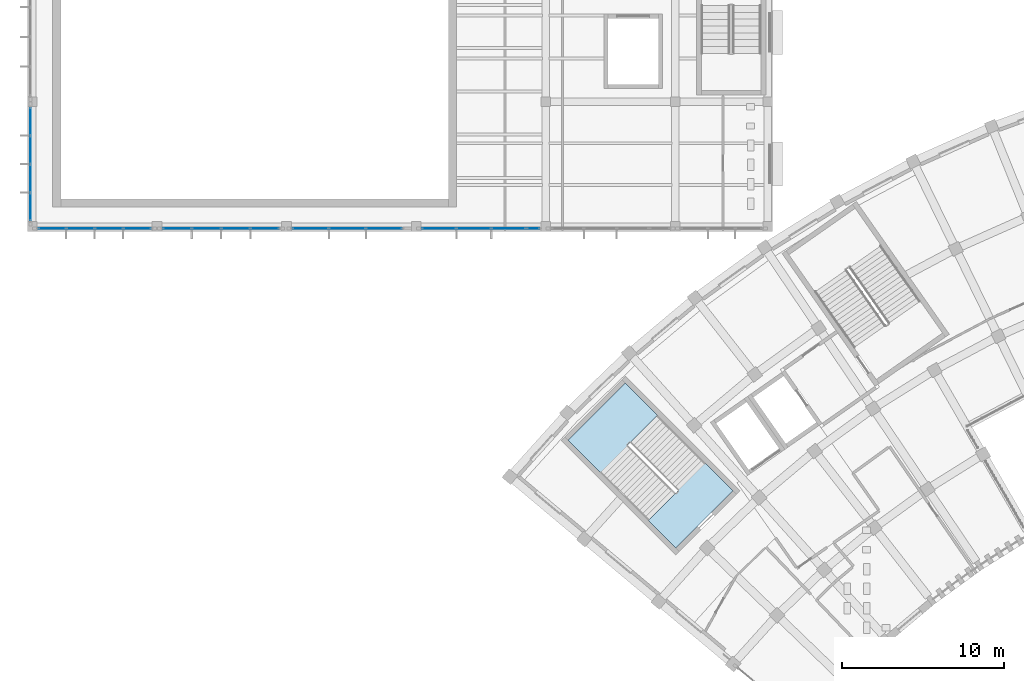
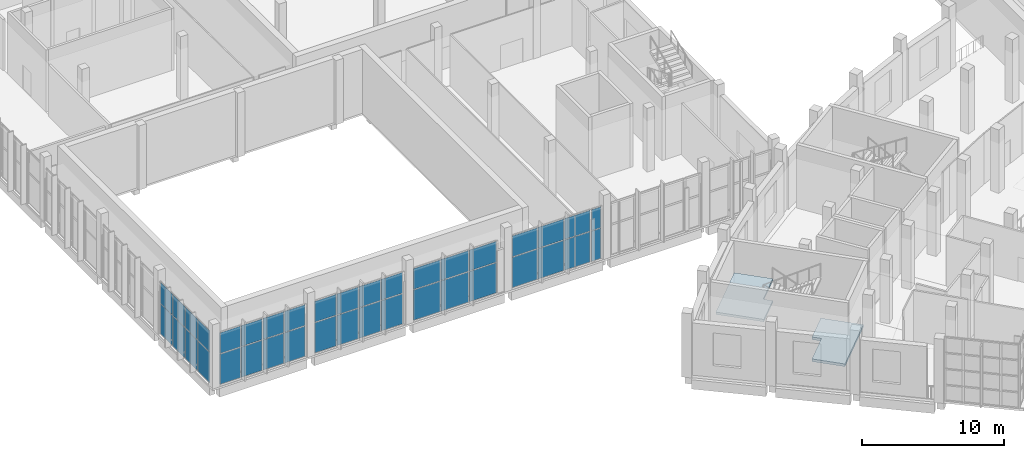
# One storey, part 39 of 112: 38 plates, 2 slabs, 7 elements without a shape of their own.
"""IFC4 building model written with IfcOpenShell, lengths in metres."""

from ifc_helpers import new_model, si_unit, direction, frame, origin, origin_2d, place, context, subcontext, project, spatial, polyline, rectangle, outline, extrude, material, layer, layer_set, type_object, element, aggregate, save


model = new_model("IFC4")

# Units and contexts
model_context = context("Model", 3, precision=1e-05, world=origin(), true_north=direction((0.0, 1.0)))
body_context = subcontext(model_context, "Body", "Model", "MODEL_VIEW")
ifc_project = project(units=[si_unit("LENGTHUNIT", "METRE"), si_unit("AREAUNIT", "SQUARE_METRE"), si_unit("VOLUMEUNIT", "CUBIC_METRE"), si_unit("PLANEANGLEUNIT", "RADIAN"), si_unit("MASSUNIT", "GRAM", prefix="KILO")], contexts=[model_context])

# Site, building, storey
site_placement = place(None, origin())
site = spatial("IfcSite", under=ifc_project, at=site_placement, CompositionType="ELEMENT")
building_placement = place(site_placement, origin())
building = spatial("IfcBuilding", under=site, at=building_placement, Name="Lunette Opera House", CompositionType="ELEMENT")
storey_placement = place(building_placement, frame((0.0, 0.0, 6.0)))
storey = spatial("IfcBuildingStorey", under=building, at=storey_placement, Name="L01", CompositionType="ELEMENT", Elevation=6.0)

# Slab
ifc_material_1 = material(Name="Concrete C35/45", Category="concrete")
ifc_layer_1 = layer(ifc_material_1, 0.219970703125)
ifc_layer_set_1 = layer_set([ifc_layer_1], Name="Concrete C35/45")
slab_type_1 = type_object("IfcSlabType", Name="CORE LANDING SLAB 220", PredefinedType="LANDING", material=ifc_layer_set_1)
slab_1_placement = place(storey_placement, frame((0.0, 0.0, -0.219970703125)))
element("IfcSlab", 1, at=slab_1_placement, inside=storey, type_object=slab_type_1, Name="ST1 floor landing", PredefinedType="LANDING", context=body_context, shape_type="SweptSolid", body=[
    extrude(outline(polyline([(46.319091796875, 46.14501953125), (48.01611328125, 47.842041015625), (48.02294921875, 47.8349609375), (48.1650390625, 47.97705078125), (47.669921875, 48.471923828125), (49.366943359375, 50.1689453125), (51.55908203125, 47.97705078125), (48.02294921875, 44.44091796875), (46.319091796875, 46.14501953125)])), origin(), (0.0, 0.0, 1.0), 0.219970703125),
])

# Curtain wall, plates
ifc_material_2 = material(Name="Aluminium", Category="aluminium")
ifc_layer_2 = layer(ifc_material_2, 0.179931640625)
ifc_layer_set_2 = layer_set([ifc_layer_2], Name="Aluminium")
curtain_wall_type = type_object("IfcCurtainWallType", Name="SUN FACE CURTAIN WALL", PredefinedType="NOTDEFINED", material=ifc_layer_set_2)
curtain_wall_1_placement = place(storey_placement, origin())
curtain_wall_1 = element("IfcCurtainWall", 2, at=curtain_wall_1_placement, inside=storey, type_object=curtain_wall_type, Name="Sun Face Curtain Wall F18 L01", PredefinedType="NOTDEFINED")
ifc_material_3 = material(Name="Laminated glass", Category="glass")
ifc_layer_3 = layer(ifc_material_3, 0.028076171875)
ifc_layer_set_3 = layer_set([ifc_layer_3], Name="Laminated glass")
plate_type = type_object("IfcPlateType", Name="CURTAIN PANEL LAMINATED GLASS 28", PredefinedType="CURTAIN_PANEL", material=ifc_layer_set_3)
plate_1_placement = place(storey_placement, frame((8.181884765625, 70.77490234375, 0.06005859375), z_axis=(0.0, 0.0, 1.0), x_axis=(0.0, -1.0, 0.0)))
plate_1 = element("IfcPlate", 3, at=plate_1_placement, type_object=plate_type, Name="RW-X2020 panel 1.1", PredefinedType="CURTAIN_PANEL", context=body_context, shape_type="SweptSolid", body=[
    extrude(rectangle(XDim=1.669921875, YDim=0.028076171875, at=origin_2d()), origin(), (0.0, 0.0, 1.0), 2.5849609375),
])
plate_2_placement = place(storey_placement, frame((8.181884765625, 70.77490234375, 2.705078125), z_axis=(0.0, 0.0, 1.0), x_axis=(0.0, -1.0, 0.0)))
plate_2 = element("IfcPlate", 4, at=plate_2_placement, type_object=plate_type, Name="RW-X2020 panel 1.2", PredefinedType="CURTAIN_PANEL", context=body_context, shape_type="SweptSolid", body=[
    extrude(rectangle(XDim=1.669921875, YDim=0.028076171875, at=origin_2d()), origin(), (0.0, 0.0, 1.0), 1.784912109375),
])
plate_3_placement = place(storey_placement, frame((8.181884765625, 69.030029296875, 0.06005859375), z_axis=(0.0, 0.0, 1.0), x_axis=(0.0, -1.0, 0.0)))
plate_3 = element("IfcPlate", 5, at=plate_3_placement, type_object=plate_type, Name="RW-X2020 panel 2.1", PredefinedType="CURTAIN_PANEL", context=body_context, shape_type="SweptSolid", body=[
    extrude(rectangle(XDim=1.699951171875, YDim=0.028076171875, at=origin_2d()), origin(), (0.0, 0.0, 1.0), 2.5849609375),
])
plate_4_placement = place(storey_placement, frame((8.181884765625, 69.030029296875, 2.705078125), z_axis=(0.0, 0.0, 1.0), x_axis=(0.0, -1.0, 0.0)))
plate_4 = element("IfcPlate", 6, at=plate_4_placement, type_object=plate_type, Name="RW-X2020 panel 2.2", PredefinedType="CURTAIN_PANEL", context=body_context, shape_type="SweptSolid", body=[
    extrude(rectangle(XDim=1.699951171875, YDim=0.028076171875, at=origin_2d()), origin(), (0.0, 0.0, 1.0), 1.784912109375),
])
plate_5_placement = place(storey_placement, frame((8.181884765625, 67.27001953125, 0.06005859375), z_axis=(0.0, 0.0, 1.0), x_axis=(0.0, -1.0, 0.0)))
plate_5 = element("IfcPlate", 7, at=plate_5_placement, type_object=plate_type, Name="RW-X2020 panel 3.1", PredefinedType="CURTAIN_PANEL", context=body_context, shape_type="SweptSolid", body=[
    extrude(rectangle(XDim=1.699951171875, YDim=0.028076171875, at=origin_2d()), origin(), (0.0, 0.0, 1.0), 2.5849609375),
])
plate_6_placement = place(storey_placement, frame((8.181884765625, 67.27001953125, 2.705078125), z_axis=(0.0, 0.0, 1.0), x_axis=(0.0, -1.0, 0.0)))
plate_6 = element("IfcPlate", 8, at=plate_6_placement, type_object=plate_type, Name="RW-X2020 panel 3.2", PredefinedType="CURTAIN_PANEL", context=body_context, shape_type="SweptSolid", body=[
    extrude(rectangle(XDim=1.699951171875, YDim=0.028076171875, at=origin_2d()), origin(), (0.0, 0.0, 1.0), 1.784912109375),
])
plate_7_placement = place(storey_placement, frame((8.181884765625, 65.52490234375, 0.06005859375), z_axis=(0.0, 0.0, 1.0), x_axis=(0.0, -1.0, 0.0)))
plate_7 = element("IfcPlate", 9, at=plate_7_placement, type_object=plate_type, Name="RW-X2020 panel 4.1", PredefinedType="CURTAIN_PANEL", context=body_context, shape_type="SweptSolid", body=[
    extrude(rectangle(XDim=1.669921875, YDim=0.028076171875, at=origin_2d()), origin(), (0.0, 0.0, 1.0), 2.5849609375),
])
plate_8_placement = place(storey_placement, frame((8.181884765625, 65.52490234375, 2.705078125), z_axis=(0.0, 0.0, 1.0), x_axis=(0.0, -1.0, 0.0)))
plate_8 = element("IfcPlate", 10, at=plate_8_placement, type_object=plate_type, Name="RW-X2020 panel 4.2", PredefinedType="CURTAIN_PANEL", context=body_context, shape_type="SweptSolid", body=[
    extrude(rectangle(XDim=1.669921875, YDim=0.028076171875, at=origin_2d()), origin(), (0.0, 0.0, 1.0), 1.784912109375),
])
aggregate(curtain_wall_1, [plate_1, plate_2, plate_3, plate_4, plate_5, plate_6, plate_7, plate_8])

curtain_wall_2_placement = place(storey_placement, origin())
curtain_wall_2 = element("IfcCurtainWall", 11, at=curtain_wall_2_placement, inside=storey, type_object=curtain_wall_type, Name="Sun Face Curtain Wall F19 L01", PredefinedType="NOTDEFINED")
plate_9_placement = place(storey_placement, frame((9.52490234375, 64.18310546875, 0.06005859375), z_axis=(0.0, 0.0, 1.0), x_axis=(1.0, 0.0, 0.0)))
plate_9 = element("IfcPlate", 12, at=plate_9_placement, type_object=plate_type, Name="RW-X2021 panel 1.1", PredefinedType="CURTAIN_PANEL", context=body_context, shape_type="SweptSolid", body=[
    extrude(rectangle(XDim=1.669921875, YDim=0.028076171875, at=origin_2d()), origin(), (0.0, 0.0, 1.0), 2.5849609375),
])
plate_10_placement = place(storey_placement, frame((9.52490234375, 64.18310546875, 2.705078125), z_axis=(0.0, 0.0, 1.0), x_axis=(1.0, 0.0, 0.0)))
plate_10 = element("IfcPlate", 13, at=plate_10_placement, type_object=plate_type, Name="RW-X2021 panel 1.2", PredefinedType="CURTAIN_PANEL", context=body_context, shape_type="SweptSolid", body=[
    extrude(rectangle(XDim=1.669921875, YDim=0.028076171875, at=origin_2d()), origin(), (0.0, 0.0, 1.0), 1.784912109375),
])
plate_11_placement = place(storey_placement, frame((11.27001953125, 64.18310546875, 0.06005859375), z_axis=(0.0, 0.0, 1.0), x_axis=(1.0, 0.0, 0.0)))
plate_11 = element("IfcPlate", 14, at=plate_11_placement, type_object=plate_type, Name="RW-X2021 panel 2.1", PredefinedType="CURTAIN_PANEL", context=body_context, shape_type="SweptSolid", body=[
    extrude(rectangle(XDim=1.699951171875, YDim=0.028076171875, at=origin_2d()), origin(), (0.0, 0.0, 1.0), 2.5849609375),
])
plate_12_placement = place(storey_placement, frame((11.27001953125, 64.18310546875, 2.705078125), z_axis=(0.0, 0.0, 1.0), x_axis=(1.0, 0.0, 0.0)))
plate_12 = element("IfcPlate", 15, at=plate_12_placement, type_object=plate_type, Name="RW-X2021 panel 2.2", PredefinedType="CURTAIN_PANEL", context=body_context, shape_type="SweptSolid", body=[
    extrude(rectangle(XDim=1.699951171875, YDim=0.028076171875, at=origin_2d()), origin(), (0.0, 0.0, 1.0), 1.784912109375),
])
plate_13_placement = place(storey_placement, frame((13.030029296875, 64.18310546875, 0.06005859375), z_axis=(0.0, 0.0, 1.0), x_axis=(1.0, 0.0, 0.0)))
plate_13 = element("IfcPlate", 16, at=plate_13_placement, type_object=plate_type, Name="RW-X2021 panel 3.1", PredefinedType="CURTAIN_PANEL", context=body_context, shape_type="SweptSolid", body=[
    extrude(rectangle(XDim=1.699951171875, YDim=0.028076171875, at=origin_2d()), origin(), (0.0, 0.0, 1.0), 2.5849609375),
])
plate_14_placement = place(storey_placement, frame((13.030029296875, 64.18310546875, 2.705078125), z_axis=(0.0, 0.0, 1.0), x_axis=(1.0, 0.0, 0.0)))
plate_14 = element("IfcPlate", 17, at=plate_14_placement, type_object=plate_type, Name="RW-X2021 panel 3.2", PredefinedType="CURTAIN_PANEL", context=body_context, shape_type="SweptSolid", body=[
    extrude(rectangle(XDim=1.699951171875, YDim=0.028076171875, at=origin_2d()), origin(), (0.0, 0.0, 1.0), 1.784912109375),
])
plate_15_placement = place(storey_placement, frame((14.77490234375, 64.18310546875, 0.06005859375), z_axis=(0.0, 0.0, 1.0), x_axis=(1.0, 0.0, 0.0)))
plate_15 = element("IfcPlate", 18, at=plate_15_placement, type_object=plate_type, Name="RW-X2021 panel 4.1", PredefinedType="CURTAIN_PANEL", context=body_context, shape_type="SweptSolid", body=[
    extrude(rectangle(XDim=1.669921875, YDim=0.028076171875, at=origin_2d()), origin(), (0.0, 0.0, 1.0), 2.5849609375),
])
plate_16_placement = place(storey_placement, frame((14.77490234375, 64.18310546875, 2.705078125), z_axis=(0.0, 0.0, 1.0), x_axis=(1.0, 0.0, 0.0)))
plate_16 = element("IfcPlate", 19, at=plate_16_placement, type_object=plate_type, Name="RW-X2021 panel 4.2", PredefinedType="CURTAIN_PANEL", context=body_context, shape_type="SweptSolid", body=[
    extrude(rectangle(XDim=1.669921875, YDim=0.028076171875, at=origin_2d()), origin(), (0.0, 0.0, 1.0), 1.784912109375),
])
aggregate(curtain_wall_2, [plate_9, plate_10, plate_11, plate_12, plate_13, plate_14, plate_15, plate_16])

curtain_wall_3_placement = place(storey_placement, origin())
curtain_wall_3 = element("IfcCurtainWall", 20, at=curtain_wall_3_placement, inside=storey, type_object=curtain_wall_type, Name="Sun Face Curtain Wall F20 L01", PredefinedType="NOTDEFINED")
plate_17_placement = place(storey_placement, frame((17.2509765625, 64.18310546875, 0.06005859375), z_axis=(0.0, 0.0, 1.0), x_axis=(1.0, 0.0, 0.0)))
plate_17 = element("IfcPlate", 21, at=plate_17_placement, type_object=plate_type, Name="RW-X2022 panel 1.1", PredefinedType="CURTAIN_PANEL", context=body_context, shape_type="SweptSolid", body=[
    extrude(rectangle(XDim=1.7216796875, YDim=0.028076171875, at=origin_2d()), origin(), (0.0, 0.0, 1.0), 2.5849609375),
])
plate_18_placement = place(storey_placement, frame((17.2509765625, 64.18310546875, 2.705078125), z_axis=(0.0, 0.0, 1.0), x_axis=(1.0, 0.0, 0.0)))
plate_18 = element("IfcPlate", 22, at=plate_18_placement, type_object=plate_type, Name="RW-X2022 panel 1.2", PredefinedType="CURTAIN_PANEL", context=body_context, shape_type="SweptSolid", body=[
    extrude(rectangle(XDim=1.7216796875, YDim=0.028076171875, at=origin_2d()), origin(), (0.0, 0.0, 1.0), 1.784912109375),
])
plate_19_placement = place(storey_placement, frame((19.047607421875, 64.18310546875, 0.06005859375), z_axis=(0.0, 0.0, 1.0), x_axis=(1.0, 0.0, 0.0)))
plate_19 = element("IfcPlate", 23, at=plate_19_placement, type_object=plate_type, Name="RW-X2022 panel 2.1", PredefinedType="CURTAIN_PANEL", context=body_context, shape_type="SweptSolid", body=[
    extrude(rectangle(XDim=1.751708984375, YDim=0.028076171875, at=origin_2d()), origin(), (0.0, 0.0, 1.0), 2.5849609375),
])
plate_20_placement = place(storey_placement, frame((19.047607421875, 64.18310546875, 2.705078125), z_axis=(0.0, 0.0, 1.0), x_axis=(1.0, 0.0, 0.0)))
plate_20 = element("IfcPlate", 24, at=plate_20_placement, type_object=plate_type, Name="RW-X2022 panel 2.2", PredefinedType="CURTAIN_PANEL", context=body_context, shape_type="SweptSolid", body=[
    extrude(rectangle(XDim=1.751708984375, YDim=0.028076171875, at=origin_2d()), origin(), (0.0, 0.0, 1.0), 1.784912109375),
])
plate_21_placement = place(storey_placement, frame((20.859375, 64.18310546875, 0.06005859375), z_axis=(0.0, 0.0, 1.0), x_axis=(1.0, 0.0, 0.0)))
plate_21 = element("IfcPlate", 25, at=plate_21_placement, type_object=plate_type, Name="RW-X2022 panel 3.1", PredefinedType="CURTAIN_PANEL", context=body_context, shape_type="SweptSolid", body=[
    extrude(rectangle(XDim=1.751708984375, YDim=0.028076171875, at=origin_2d()), origin(), (0.0, 0.0, 1.0), 2.5849609375),
])
plate_22_placement = place(storey_placement, frame((20.859375, 64.18310546875, 2.705078125), z_axis=(0.0, 0.0, 1.0), x_axis=(1.0, 0.0, 0.0)))
plate_22 = element("IfcPlate", 26, at=plate_22_placement, type_object=plate_type, Name="RW-X2022 panel 3.2", PredefinedType="CURTAIN_PANEL", context=body_context, shape_type="SweptSolid", body=[
    extrude(rectangle(XDim=1.751708984375, YDim=0.028076171875, at=origin_2d()), origin(), (0.0, 0.0, 1.0), 1.784912109375),
])
plate_23_placement = place(storey_placement, frame((22.656005859375, 64.18310546875, 0.06005859375), z_axis=(0.0, 0.0, 1.0), x_axis=(1.0, 0.0, 0.0)))
plate_23 = element("IfcPlate", 27, at=plate_23_placement, type_object=plate_type, Name="RW-X2022 panel 4.1", PredefinedType="CURTAIN_PANEL", context=body_context, shape_type="SweptSolid", body=[
    extrude(rectangle(XDim=1.7216796875, YDim=0.028076171875, at=origin_2d()), origin(), (0.0, 0.0, 1.0), 2.5849609375),
])
plate_24_placement = place(storey_placement, frame((22.656005859375, 64.18310546875, 2.705078125), z_axis=(0.0, 0.0, 1.0), x_axis=(1.0, 0.0, 0.0)))
plate_24 = element("IfcPlate", 28, at=plate_24_placement, type_object=plate_type, Name="RW-X2022 panel 4.2", PredefinedType="CURTAIN_PANEL", context=body_context, shape_type="SweptSolid", body=[
    extrude(rectangle(XDim=1.7216796875, YDim=0.028076171875, at=origin_2d()), origin(), (0.0, 0.0, 1.0), 1.784912109375),
])
aggregate(curtain_wall_3, [plate_17, plate_18, plate_19, plate_20, plate_21, plate_22, plate_23, plate_24])

curtain_wall_4_placement = place(storey_placement, origin())
curtain_wall_4 = element("IfcCurtainWall", 29, at=curtain_wall_4_placement, inside=storey, type_object=curtain_wall_type, Name="Sun Face Curtain Wall F21 L01", PredefinedType="NOTDEFINED")
plate_25_placement = place(storey_placement, frame((25.487060546875, 64.18310546875, 0.06005859375), z_axis=(0.0, 0.0, 1.0), x_axis=(1.0, 0.0, 0.0)))
plate_25 = element("IfcPlate", 30, at=plate_25_placement, type_object=plate_type, Name="RW-X2023 panel 1.1", PredefinedType="CURTAIN_PANEL", context=body_context, shape_type="SweptSolid", body=[
    extrude(rectangle(XDim=2.1943359375, YDim=0.028076171875, at=origin_2d()), origin(), (0.0, 0.0, 1.0), 2.5849609375),
])
plate_26_placement = place(storey_placement, frame((25.487060546875, 64.18310546875, 2.705078125), z_axis=(0.0, 0.0, 1.0), x_axis=(1.0, 0.0, 0.0)))
plate_26 = element("IfcPlate", 31, at=plate_26_placement, type_object=plate_type, Name="RW-X2023 panel 1.2", PredefinedType="CURTAIN_PANEL", context=body_context, shape_type="SweptSolid", body=[
    extrude(rectangle(XDim=2.1943359375, YDim=0.028076171875, at=origin_2d()), origin(), (0.0, 0.0, 1.0), 1.784912109375),
])
plate_27_placement = place(storey_placement, frame((27.756591796875, 64.18310546875, 0.06005859375), z_axis=(0.0, 0.0, 1.0), x_axis=(1.0, 0.0, 0.0)))
plate_27 = element("IfcPlate", 32, at=plate_27_placement, type_object=plate_type, Name="RW-X2023 panel 2.1", PredefinedType="CURTAIN_PANEL", context=body_context, shape_type="SweptSolid", body=[
    extrude(rectangle(XDim=2.224365234375, YDim=0.028076171875, at=origin_2d()), origin(), (0.0, 0.0, 1.0), 2.5849609375),
])
plate_28_placement = place(storey_placement, frame((27.756591796875, 64.18310546875, 2.705078125), z_axis=(0.0, 0.0, 1.0), x_axis=(1.0, 0.0, 0.0)))
plate_28 = element("IfcPlate", 33, at=plate_28_placement, type_object=plate_type, Name="RW-X2023 panel 2.2", PredefinedType="CURTAIN_PANEL", context=body_context, shape_type="SweptSolid", body=[
    extrude(rectangle(XDim=2.224365234375, YDim=0.028076171875, at=origin_2d()), origin(), (0.0, 0.0, 1.0), 1.784912109375),
])
plate_29_placement = place(storey_placement, frame((30.02587890625, 64.18310546875, 0.06005859375), z_axis=(0.0, 0.0, 1.0), x_axis=(1.0, 0.0, 0.0)))
plate_29 = element("IfcPlate", 34, at=plate_29_placement, type_object=plate_type, Name="RW-X2023 panel 3.1", PredefinedType="CURTAIN_PANEL", context=body_context, shape_type="SweptSolid", body=[
    extrude(rectangle(XDim=2.1943359375, YDim=0.028076171875, at=origin_2d()), origin(), (0.0, 0.0, 1.0), 2.5849609375),
])
plate_30_placement = place(storey_placement, frame((30.02587890625, 64.18310546875, 2.705078125), z_axis=(0.0, 0.0, 1.0), x_axis=(1.0, 0.0, 0.0)))
plate_30 = element("IfcPlate", 35, at=plate_30_placement, type_object=plate_type, Name="RW-X2023 panel 3.2", PredefinedType="CURTAIN_PANEL", context=body_context, shape_type="SweptSolid", body=[
    extrude(rectangle(XDim=2.1943359375, YDim=0.028076171875, at=origin_2d()), origin(), (0.0, 0.0, 1.0), 1.784912109375),
])
aggregate(curtain_wall_4, [plate_25, plate_26, plate_27, plate_28, plate_29, plate_30])

curtain_wall_5_placement = place(storey_placement, origin())
curtain_wall_5 = element("IfcCurtainWall", 36, at=curtain_wall_5_placement, inside=storey, type_object=curtain_wall_type, Name="Sun Face Curtain Wall F22 L01", PredefinedType="NOTDEFINED")
plate_31_placement = place(storey_placement, frame((33.42138671875, 64.18310546875, 0.06005859375), z_axis=(0.0, 0.0, 1.0), x_axis=(1.0, 0.0, 0.0)))
plate_31 = element("IfcPlate", 37, at=plate_31_placement, type_object=plate_type, Name="RW-X2024 panel 1.1", PredefinedType="CURTAIN_PANEL", context=body_context, shape_type="SweptSolid", body=[
    extrude(rectangle(XDim=2.062744140625, YDim=0.028076171875, at=origin_2d()), origin(), (0.0, 0.0, 1.0), 2.5849609375),
])
plate_32_placement = place(storey_placement, frame((33.42138671875, 64.18310546875, 2.705078125), z_axis=(0.0, 0.0, 1.0), x_axis=(1.0, 0.0, 0.0)))
plate_32 = element("IfcPlate", 38, at=plate_32_placement, type_object=plate_type, Name="RW-X2024 panel 1.2", PredefinedType="CURTAIN_PANEL", context=body_context, shape_type="SweptSolid", body=[
    extrude(rectangle(XDim=2.062744140625, YDim=0.028076171875, at=origin_2d()), origin(), (0.0, 0.0, 1.0), 1.784912109375),
])
plate_33_placement = place(storey_placement, frame((35.55908203125, 64.18310546875, 0.06005859375), z_axis=(0.0, 0.0, 1.0), x_axis=(1.0, 0.0, 0.0)))
plate_33 = element("IfcPlate", 39, at=plate_33_placement, type_object=plate_type, Name="RW-X2024 panel 2.1", PredefinedType="CURTAIN_PANEL", context=body_context, shape_type="SweptSolid", body=[
    extrude(rectangle(XDim=2.0927734375, YDim=0.028076171875, at=origin_2d()), origin(), (0.0, 0.0, 1.0), 2.5849609375),
])
plate_34_placement = place(storey_placement, frame((35.55908203125, 64.18310546875, 2.705078125), z_axis=(0.0, 0.0, 1.0), x_axis=(1.0, 0.0, 0.0)))
plate_34 = element("IfcPlate", 40, at=plate_34_placement, type_object=plate_type, Name="RW-X2024 panel 2.2", PredefinedType="CURTAIN_PANEL", context=body_context, shape_type="SweptSolid", body=[
    extrude(rectangle(XDim=2.0927734375, YDim=0.028076171875, at=origin_2d()), origin(), (0.0, 0.0, 1.0), 1.784912109375),
])
plate_35_placement = place(storey_placement, frame((37.69677734375, 64.18310546875, 0.06005859375), z_axis=(0.0, 0.0, 1.0), x_axis=(1.0, 0.0, 0.0)))
plate_35 = element("IfcPlate", 41, at=plate_35_placement, type_object=plate_type, Name="RW-X2024 panel 3.1", PredefinedType="CURTAIN_PANEL", context=body_context, shape_type="SweptSolid", body=[
    extrude(rectangle(XDim=2.062744140625, YDim=0.028076171875, at=origin_2d()), origin(), (0.0, 0.0, 1.0), 2.5849609375),
])
plate_36_placement = place(storey_placement, frame((37.69677734375, 64.18310546875, 2.705078125), z_axis=(0.0, 0.0, 1.0), x_axis=(1.0, 0.0, 0.0)))
plate_36 = element("IfcPlate", 42, at=plate_36_placement, type_object=plate_type, Name="RW-X2024 panel 3.2", PredefinedType="CURTAIN_PANEL", context=body_context, shape_type="SweptSolid", body=[
    extrude(rectangle(XDim=2.062744140625, YDim=0.028076171875, at=origin_2d()), origin(), (0.0, 0.0, 1.0), 1.784912109375),
])
aggregate(curtain_wall_5, [plate_31, plate_32, plate_33, plate_34, plate_35, plate_36])

curtain_wall_6_placement = place(storey_placement, origin())
curtain_wall_6 = element("IfcCurtainWall", 43, at=curtain_wall_6_placement, inside=storey, type_object=curtain_wall_type, Name="Sun Face Curtain Wall F23-1 L01", PredefinedType="NOTDEFINED")
plate_37_placement = place(storey_placement, frame((39.22900390625, 64.18310546875, 0.06005859375), z_axis=(0.0, 0.0, 1.0), x_axis=(1.0, 0.0, 0.0)))
plate_37 = element("IfcPlate", 44, at=plate_37_placement, type_object=plate_type, Name="RW-X2025 panel 1.1", PredefinedType="CURTAIN_PANEL", context=body_context, shape_type="SweptSolid", body=[
    extrude(rectangle(XDim=0.761962890625, YDim=0.028076171875, at=origin_2d()), origin(), (0.0, 0.0, 1.0), 2.5849609375),
])
plate_38_placement = place(storey_placement, frame((39.22900390625, 64.18310546875, 2.705078125), z_axis=(0.0, 0.0, 1.0), x_axis=(1.0, 0.0, 0.0)))
plate_38 = element("IfcPlate", 45, at=plate_38_placement, type_object=plate_type, Name="RW-X2025 panel 1.2", PredefinedType="CURTAIN_PANEL", context=body_context, shape_type="SweptSolid", body=[
    extrude(rectangle(XDim=0.761962890625, YDim=0.028076171875, at=origin_2d()), origin(), (0.0, 0.0, 1.0), 1.784912109375),
])
aggregate(curtain_wall_6, [plate_37, plate_38])

# Stair, slab
ifc_material_4 = material(Name="Concrete C35/45", Category="concrete")
stair_type = type_object("IfcStairType", Name="DOGLEG STAIR 2400", PredefinedType="HALF_TURN_STAIR", material=ifc_material_4)
stair_placement = place(storey_placement, origin())
stair = element("IfcStair", 46, at=stair_placement, inside=storey, type_object=stair_type, Name="L01 stair ST1", PredefinedType="HALF_TURN_STAIR")
ifc_material_5 = material(Name="Concrete C35/45", Category="concrete")
ifc_layer_4 = layer(ifc_material_5, 0.199951171875)
ifc_layer_set_4 = layer_set([ifc_layer_4], Name="Concrete C35/45")
slab_type_2 = type_object("IfcSlabType", Name="STAIR LANDING SLAB 200", PredefinedType="LANDING", material=ifc_layer_set_4)
slab_2_placement = place(storey_placement, frame((0.0, 0.0, 2.550048828125)))
slab_2 = element("IfcSlab", 47, at=slab_2_placement, type_object=slab_type_2, Name="ST1 landing 1", PredefinedType="LANDING", context=body_context, shape_type="SweptSolid", body=[
    extrude(outline(polyline([(41.3759765625, 51.087890625), (44.912109375, 54.6240234375), (46.89892578125, 52.636962890625), (45.201904296875, 50.93994140625), (45.195068359375, 50.947021484375), (45.052978515625, 50.804931640625), (45.548095703125, 50.31005859375), (43.85107421875, 48.613037109375), (41.3759765625, 51.087890625)])), origin(), (0.0, 0.0, 1.0), 0.199951171875),
])
aggregate(stair, [slab_2])

save(model, "model.ifc")
